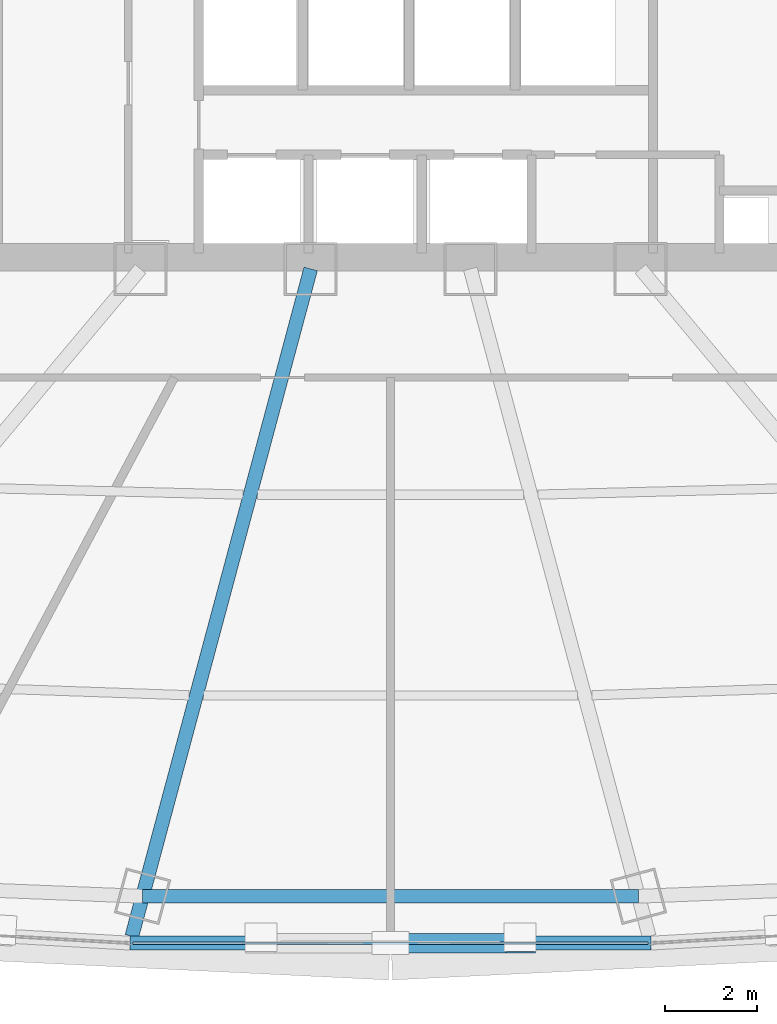
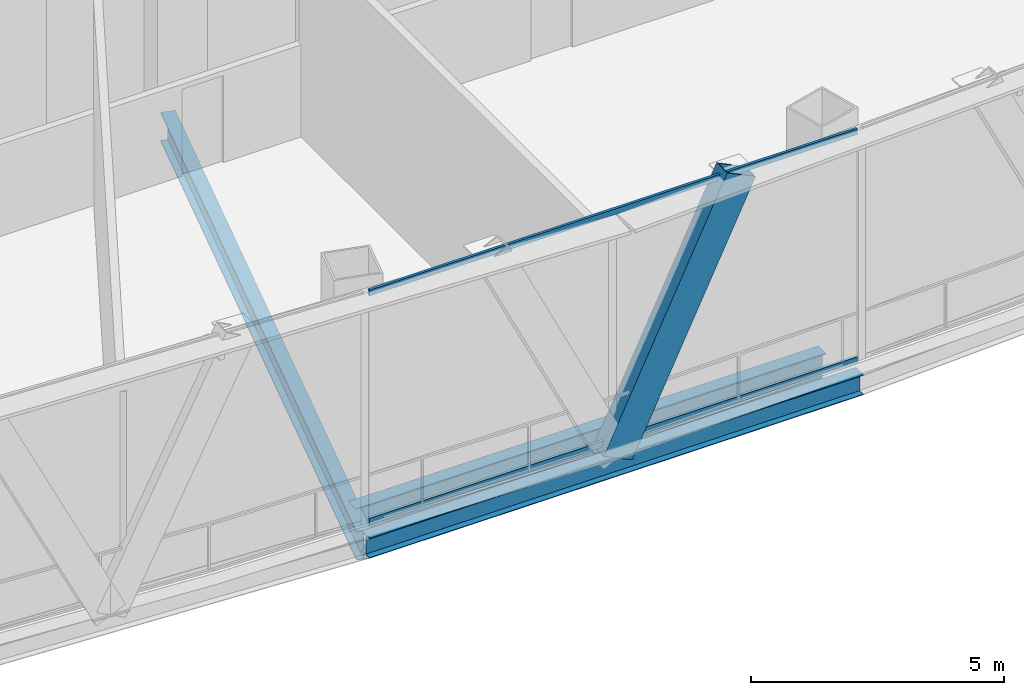
# One storey, part 10 of 36: 3 beams, 3 members, 1 element without a shape of its own.
"""IFC4 building model written with IfcOpenShell, lengths in metres."""

from ifc_helpers import new_model, si_unit, direction, frame, origin, origin_2d, place, context, subcontext, project, spatial, hollow_rectangle, i_section, extrude, source, transform, mapped, material, layer, layer_set, material_profile, profile_set, type_object, element, aggregate, save


model = new_model("IFC4")

# Units and contexts
model_context = context("Model", 3, precision=1e-05, world=origin(), true_north=direction((0.0, 1.0)))
body_context = subcontext(model_context, "Body", "Model", "MODEL_VIEW")
ifc_project = project(units=[si_unit("LENGTHUNIT", "METRE"), si_unit("AREAUNIT", "SQUARE_METRE"), si_unit("VOLUMEUNIT", "CUBIC_METRE"), si_unit("PLANEANGLEUNIT", "RADIAN"), si_unit("MASSUNIT", "GRAM", prefix="KILO"), si_unit("THERMODYNAMICTEMPERATUREUNIT", "KELVIN"), si_unit("POWERUNIT", "WATT")], contexts=[model_context])

# Site, building, storey
site_placement = place(None, origin())
site = spatial("IfcSite", under=ifc_project, at=site_placement, CompositionType="ELEMENT")
building_placement = place(site_placement, origin())
building = spatial("IfcBuilding", under=site, at=building_placement, Name="Yunzhuo Pagoda Commons", CompositionType="ELEMENT")
storey_placement = place(building_placement, frame((0.0, 0.0, 119.179931640625)))
storey = spatial("IfcBuildingStorey", under=building, at=storey_placement, Name="L30", CompositionType="ELEMENT", Elevation=119.179931640625)

# Beams
ifc_material_1 = material(Name="Structural steel Q355B", Category="steel")
ifc_material_profile_1 = material_profile(ifc_material_1, i_section(OverallWidth=0.300048828125, OverallDepth=0.699951171875, WebThickness=0.012939453125, FlangeThickness=0.02392578125, at=origin_2d()), Name="Structural steel Q355B")
ifc_profile_set_1 = profile_set([ifc_material_profile_1], Name="Structural steel Q355B")
beam_type_1 = type_object("IfcBeamType", Name="B-RG1 Beam HN 700x300x13x24", PredefinedType="BEAM", material=ifc_profile_set_1)
shared_shape_1 = source(origin(), body_context, "Body", "SweptSolid", [
    extrude(i_section(OverallWidth=0.300048828125, OverallDepth=0.699951171875, WebThickness=0.012939453125, FlangeThickness=0.02392578125, at=origin_2d()), origin(), (0.0, 0.0, 1.0), 10.73486328125),
])
beam_1_placement = place(storey_placement, frame((42.632568359375, 13.66845703125, -0.6298828125), z_axis=(1.0, 0.0, 0.0), x_axis=(0.0, 1.0, 0.0)))
element("IfcBeam", 1, at=beam_1_placement, inside=storey, type_object=beam_type_1, Name="L30 column-ring beam 2", PredefinedType="BEAM", context=body_context, shape_type="MappedRepresentation", body=[
    mapped(shared_shape_1, transform((0.0, 0.0, 0.0), scale=1.0)),
])
shared_shape_2 = source(origin(), body_context, "Body", "SweptSolid", [
    extrude(i_section(OverallWidth=0.300048828125, OverallDepth=0.699951171875, WebThickness=0.012939453125, FlangeThickness=0.02392578125, at=origin_2d()), origin(), (0.0, 0.0, 1.0), 14.955810546875),
])
beam_2_placement = place(storey_placement, frame((42.40087890625, 12.803955078125, -0.6298828125), z_axis=(0.258836991936, 0.965921017271, 0.0), x_axis=(-0.965921017271, 0.258836991936, 0.0)))
element("IfcBeam", 2, at=beam_2_placement, inside=storey, type_object=beam_type_1, Name="L30 radial floor girder F1C2", PredefinedType="BEAM", context=body_context, shape_type="MappedRepresentation", body=[
    mapped(shared_shape_2, transform((0.0, 0.0, 0.0), scale=1.0)),
])
ifc_material_profile_2 = material_profile(ifc_material_1, i_section(OverallWidth=0.300048828125, OverallDepth=0.488037109375, WebThickness=0.010986328125, FlangeThickness=0.01806640625, at=origin_2d()), Name="Structural steel Q355B")
ifc_profile_set_2 = profile_set([ifc_material_profile_2], Name="Structural steel Q355B")
beam_type_2 = type_object("IfcBeamType", Name="B-SP1 Beam HM 488x300x11x18", PredefinedType="BEAM", material=ifc_profile_set_2)
shared_shape_3 = source(origin(), body_context, "Body", "SweptSolid", [
    extrude(i_section(OverallWidth=0.300048828125, OverallDepth=0.488037109375, WebThickness=0.010986328125, FlangeThickness=0.01806640625, at=origin_2d()), origin(), (0.0, 0.0, 1.0), 11.2783203125),
])
beam_3_placement = place(storey_placement, frame((42.36083984375, 12.654296875, -0.52392578125), z_axis=(1.0, 0.0, 0.0), x_axis=(0.0, 1.0, 0.0)))
element("IfcBeam", 3, at=beam_3_placement, inside=storey, type_object=beam_type_2, Name="L30 facade edge spandrel beam F1.2", PredefinedType="BEAM", context=body_context, shape_type="MappedRepresentation", body=[
    mapped(shared_shape_3, transform((0.0, 0.0, 0.0), scale=1.0)),
])

# Member
ifc_material_2 = material(Name="Structural steel Q420B", Category="steel")
ifc_material_profile_3 = material_profile(ifc_material_2, hollow_rectangle(XDim=0.419921875, YDim=0.719970703125, WallThickness=0.028076171875, at=origin_2d()), Name="Structural steel Q420B")
ifc_profile_set_3 = profile_set([ifc_material_profile_3], Name="Structural steel Q420B")
member_type_1 = type_object("IfcMemberType", Name="M-DL1 Brace BOX 720x420x28", PredefinedType="BRACE", material=ifc_profile_set_3)
shared_shape_4 = source(origin(), body_context, "Body", "SweptSolid", [
    extrude(hollow_rectangle(XDim=0.419921875, YDim=0.719970703125, WallThickness=0.028076171875, at=origin_2d()), origin(), (0.0, 0.0, 1.0), 6.494140625),
])
member_1_placement = place(storey_placement, frame((48.0, 12.654296875, -0.280029296875), z_axis=(0.43417390032, 0.0, 0.900829076063), x_axis=(0.0, 1.0, 0.0)))
element("IfcMember", 4, at=member_1_placement, inside=storey, type_object=member_type_1, Name="L30 facade diamond brace F1.2R", PredefinedType="BRACE", context=body_context, shape_type="MappedRepresentation", body=[
    mapped(shared_shape_4, transform((0.0, 0.0, 0.0), scale=1.0)),
])

# Curtain wall, members
ifc_material_3 = material(Name="Anodized aluminium 6063-T6", Category="aluminium")
ifc_layer = layer(ifc_material_3, 0.1650390625)
ifc_layer_set = layer_set([ifc_layer], Name="Anodized aluminium 6063-T6")
curtain_wall_type = type_object("IfcCurtainWallType", Name="CW-LOW Low-Zone Ribbon Curtain Wall", PredefinedType="NOTDEFINED", material=ifc_layer_set)
curtain_wall_placement = place(storey_placement, origin())
curtain_wall = element("IfcCurtainWall", 5, at=curtain_wall_placement, inside=storey, type_object=curtain_wall_type, Name="L30 curtain wall CW-L30-F1B3", PredefinedType="NOTDEFINED")
ifc_material_profile_4 = material_profile(ifc_material_3, hollow_rectangle(XDim=0.06005859375, YDim=0.139892578125, WallThickness=0.00341796875, at=origin_2d()), Name="Anodized aluminium 6063-T6")
ifc_profile_set_4 = profile_set([ifc_material_profile_4], Name="Anodized aluminium 6063-T6")
member_type_2 = type_object("IfcMemberType", Name="CW-LOW-T Transom RHS 140x60x3.5", PredefinedType="USERDEFINED", material=ifc_profile_set_4)
shared_shape_5 = source(origin(), body_context, "Body", "SweptSolid", [
    extrude(hollow_rectangle(XDim=0.06005859375, YDim=0.139892578125, WallThickness=0.00341796875, at=origin_2d()), origin(), (0.0, 0.0, 1.0), 11.1484375),
])
member_2_placement = place(storey_placement, frame((42.42578125, 12.654296875, 0.030029296875), z_axis=(1.0, 0.0, 0.0), x_axis=(0.0, 1.0, 0.0)))
member_2 = element("IfcMember", 6, at=member_2_placement, type_object=member_type_2, Name="CW transom 1.1", ObjectType="TRANSOM", PredefinedType="USERDEFINED", context=body_context, shape_type="MappedRepresentation", body=[
    mapped(shared_shape_5, transform((0.0, 0.0, 0.0), scale=1.0)),
])
member_3_placement = place(storey_placement, frame((42.42578125, 12.654296875, 5.5400390625), z_axis=(1.0, 0.0, 0.0), x_axis=(0.0, 1.0, 0.0)))
member_3 = element("IfcMember", 7, at=member_3_placement, type_object=member_type_2, Name="CW transom 1.2", ObjectType="TRANSOM", PredefinedType="USERDEFINED", context=body_context, shape_type="MappedRepresentation", body=[
    mapped(shared_shape_5, transform((0.0, 0.0, 0.0), scale=1.0)),
])
aggregate(curtain_wall, [member_2, member_3])

save(model, "model.ifc")
